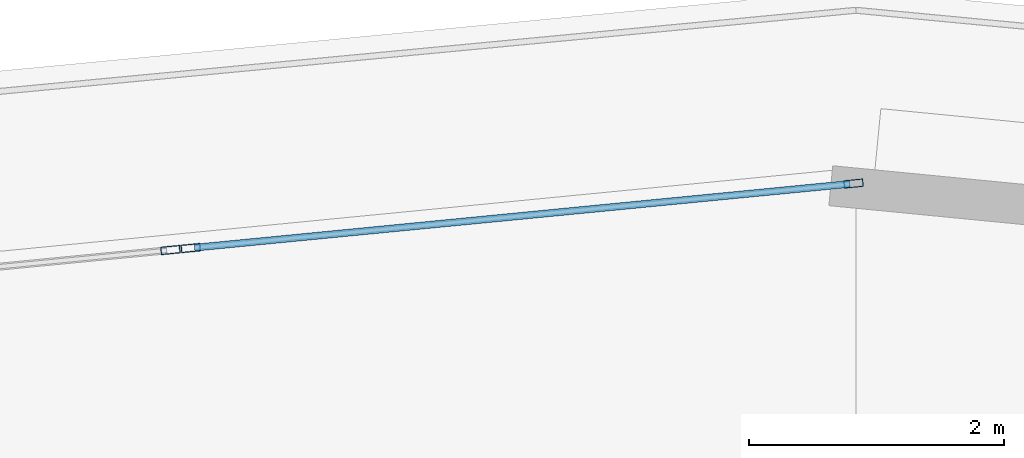
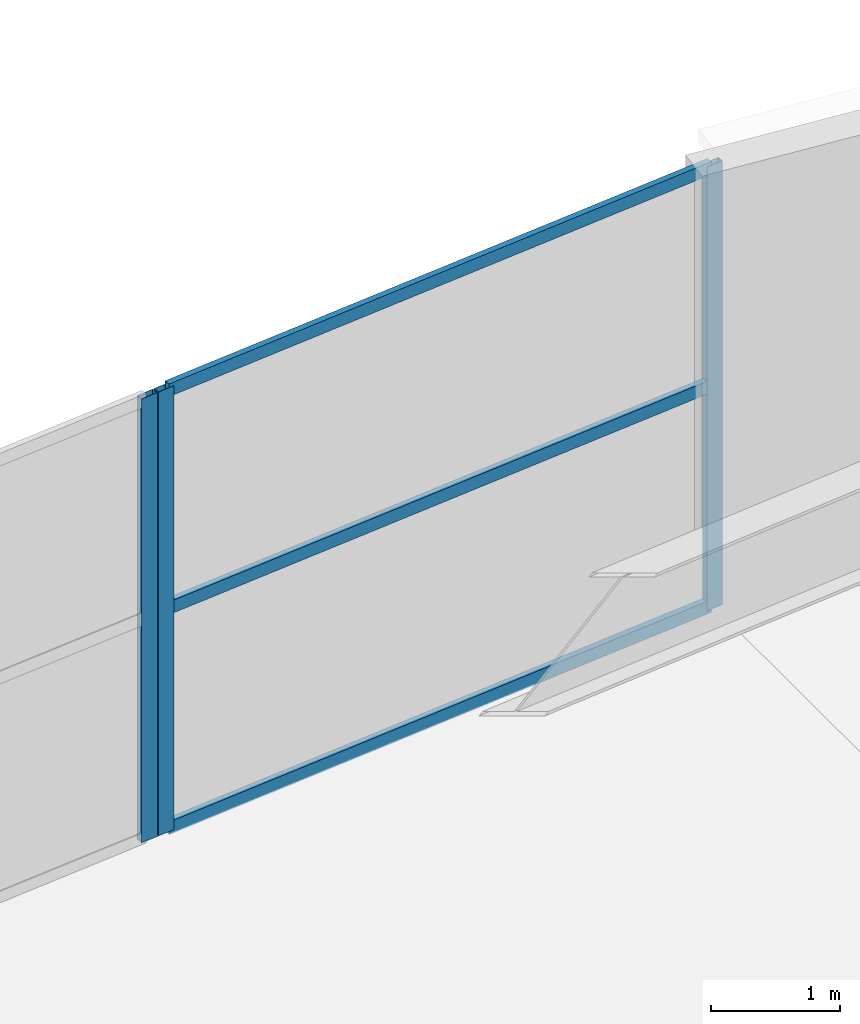
# One storey, part 52 of 123: 6 members, 2 elements without a shape of their own.
"""IFC4 building model written with IfcOpenShell, lengths in metres."""

from ifc_helpers import new_model, si_unit, direction, frame, origin, origin_2d, place, context, subcontext, project, spatial, hollow_rectangle, extrude, material, layer, layer_set, material_profile, profile_set, type_object, element, aggregate, save


model = new_model("IFC4")

# Units and contexts
model_context = context("Model", 3, precision=1e-05, world=origin(), true_north=direction((0.0, 1.0)))
body_context = subcontext(model_context, "Body", "Model", "MODEL_VIEW")
ifc_project = project(units=[si_unit("LENGTHUNIT", "METRE"), si_unit("AREAUNIT", "SQUARE_METRE"), si_unit("VOLUMEUNIT", "CUBIC_METRE"), si_unit("PLANEANGLEUNIT", "RADIAN"), si_unit("MASSUNIT", "GRAM", prefix="KILO")], contexts=[model_context])

# Site, building, storey
site_placement = place(None, origin())
site = spatial("IfcSite", under=ifc_project, at=site_placement, CompositionType="ELEMENT")
building_placement = place(site_placement, origin())
building = spatial("IfcBuilding", under=site, at=building_placement, Name="Kalgoora Escarpment Arena", CompositionType="ELEMENT")
storey_placement = place(building_placement, frame((0.0, 0.0, 9.89990234375)))
storey = spatial("IfcBuildingStorey", under=building, at=storey_placement, Name="L02", CompositionType="ELEMENT", Elevation=9.89990234375)

# Curtain wall, member
ifc_material_1 = material(Name=" Champagne anodised aluminium & double-glazed low-E", Category="aluminium")
ifc_layer_1 = layer(ifc_material_1, 0.162109375)
ifc_layer_set_1 = layer_set([ifc_layer_1], Name="CW-UNIT-18")
curtain_wall_type_1 = type_object("IfcCurtainWallType", Name="CW-UNIT-18", PredefinedType="NOTDEFINED", material=ifc_layer_set_1)
curtain_wall_1_placement = place(storey_placement, origin())
curtain_wall_1 = element("IfcCurtainWall", 1, at=curtain_wall_1_placement, inside=storey, type_object=curtain_wall_type_1, Name="L02 unitised facade curtain wall 077", PredefinedType="NOTDEFINED")
ifc_material_2 = material(Name="Anodised aluminium 6063-T6", Category="aluminium")
ifc_material_profile_1 = material_profile(ifc_material_2, hollow_rectangle(XDim=0.06005859375, YDim=0.14990234375, WallThickness=0.00341796875, at=origin_2d()))
ifc_profile_set_1 = profile_set([ifc_material_profile_1], Name="Anodised aluminium 6063-T6")
member_type_1 = type_object("IfcMemberType", Name="MEM-CW-MULL-150", PredefinedType="MULLION", material=ifc_profile_set_1)
member_1_placement = place(storey_placement, frame((87.013427734375, 124.55517578125, 0.02001953125), z_axis=(0.0, 0.0, 1.0), x_axis=(-0.096859909317, 0.995298024698, 0.0)))
member_1 = element("IfcMember", 2, at=member_1_placement, type_object=member_type_1, Name="CW-18 mullion 2", PredefinedType="MULLION", context=body_context, shape_type="SweptSolid", body=[
    extrude(hollow_rectangle(XDim=0.06005859375, YDim=0.14990234375, WallThickness=0.00341796875, at=origin_2d()), origin(), (0.0, 0.0, 1.0), 4.205078125),
])
aggregate(curtain_wall_1, [member_1])

# Curtain wall, members
ifc_material_3 = material(Name=" Champagne anodised aluminium & double-glazed low-E", Category="aluminium")
ifc_layer_2 = layer(ifc_material_3, 0.166015625)
ifc_layer_set_2 = layer_set([ifc_layer_2], Name="CW-UNIT-19")
curtain_wall_type_2 = type_object("IfcCurtainWallType", Name="CW-UNIT-19", PredefinedType="NOTDEFINED", material=ifc_layer_set_2)
curtain_wall_2_placement = place(storey_placement, origin())
curtain_wall_2 = element("IfcCurtainWall", 3, at=curtain_wall_2_placement, inside=storey, type_object=curtain_wall_type_2, Name="L02 unitised facade curtain wall 078", PredefinedType="NOTDEFINED")
member_2_placement = place(storey_placement, frame((87.1728515625, 124.57080078125, 0.02001953125), z_axis=(0.0, 0.0, 1.0), x_axis=(-0.096853045283, 0.995298692664, 0.0)))
member_2 = element("IfcMember", 4, at=member_2_placement, type_object=member_type_1, Name="CW-19 mullion 1", PredefinedType="MULLION", context=body_context, shape_type="SweptSolid", body=[
    extrude(hollow_rectangle(XDim=0.06005859375, YDim=0.14990234375, WallThickness=0.00341796875, at=origin_2d()), origin(), (0.0, 0.0, 1.0), 4.205078125),
])
member_3_placement = place(storey_placement, frame((92.3818359375, 125.07763671875, 0.02001953125), z_axis=(0.0, 0.0, 1.0), x_axis=(-0.096853045283, 0.995298692664, 0.0)))
member_3 = element("IfcMember", 5, at=member_3_placement, type_object=member_type_1, Name="CW-19 mullion 2", PredefinedType="MULLION", context=body_context, shape_type="SweptSolid", body=[
    extrude(hollow_rectangle(XDim=0.06005859375, YDim=0.14990234375, WallThickness=0.00341796875, at=origin_2d()), origin(), (0.0, 0.0, 1.0), 4.205078125),
])
ifc_material_4 = material(Name="Anodised aluminium 6063-T6", Category="aluminium")
ifc_material_profile_2 = material_profile(ifc_material_4, hollow_rectangle(XDim=0.054931640625, YDim=0.1201171875, WallThickness=0.003173828125, at=origin_2d()))
ifc_profile_set_2 = profile_set([ifc_material_profile_2], Name="Anodised aluminium 6063-T6")
member_type_2 = type_object("IfcMemberType", Name="MEM-CW-TRAN-120", PredefinedType="USERDEFINED", material=ifc_profile_set_2)
member_4_placement = place(storey_placement, frame((87.20263671875, 124.57373046875, 0.047607421875), z_axis=(0.995300404922, 0.096835447864, 0.0), x_axis=(-0.096835447864, 0.995300404922, 0.0)))
member_4 = element("IfcMember", 6, at=member_4_placement, type_object=member_type_2, Name="CW-19 transom 1.1", ObjectType="TRANSOM", PredefinedType="USERDEFINED", context=body_context, shape_type="SweptSolid", body=[
    extrude(hollow_rectangle(XDim=0.054931640625, YDim=0.1201171875, WallThickness=0.003173828125, at=origin_2d()), origin(), (0.0, 0.0, 1.0), 5.173583984375),
])
member_5_placement = place(storey_placement, frame((87.20263671875, 124.57373046875, 2.132568359375), z_axis=(0.995300404922, 0.096835447864, 0.0), x_axis=(-0.096835447864, 0.995300404922, 0.0)))
member_5 = element("IfcMember", 7, at=member_5_placement, type_object=member_type_2, Name="CW-19 transom 1.2", ObjectType="TRANSOM", PredefinedType="USERDEFINED", context=body_context, shape_type="SweptSolid", body=[
    extrude(hollow_rectangle(XDim=0.054931640625, YDim=0.1201171875, WallThickness=0.003173828125, at=origin_2d()), origin(), (0.0, 0.0, 1.0), 5.173583984375),
])
member_6_placement = place(storey_placement, frame((87.20263671875, 124.57373046875, 4.197509765625), z_axis=(0.995300404922, 0.096835447864, 0.0), x_axis=(-0.096835447864, 0.995300404922, 0.0)))
member_6 = element("IfcMember", 8, at=member_6_placement, type_object=member_type_2, Name="CW-19 transom 1.3", ObjectType="TRANSOM", PredefinedType="USERDEFINED", context=body_context, shape_type="SweptSolid", body=[
    extrude(hollow_rectangle(XDim=0.054931640625, YDim=0.1201171875, WallThickness=0.003173828125, at=origin_2d()), origin(), (0.0, 0.0, 1.0), 5.173583984375),
])
aggregate(curtain_wall_2, [member_2, member_3, member_4, member_5, member_6])

save(model, "model.ifc")
